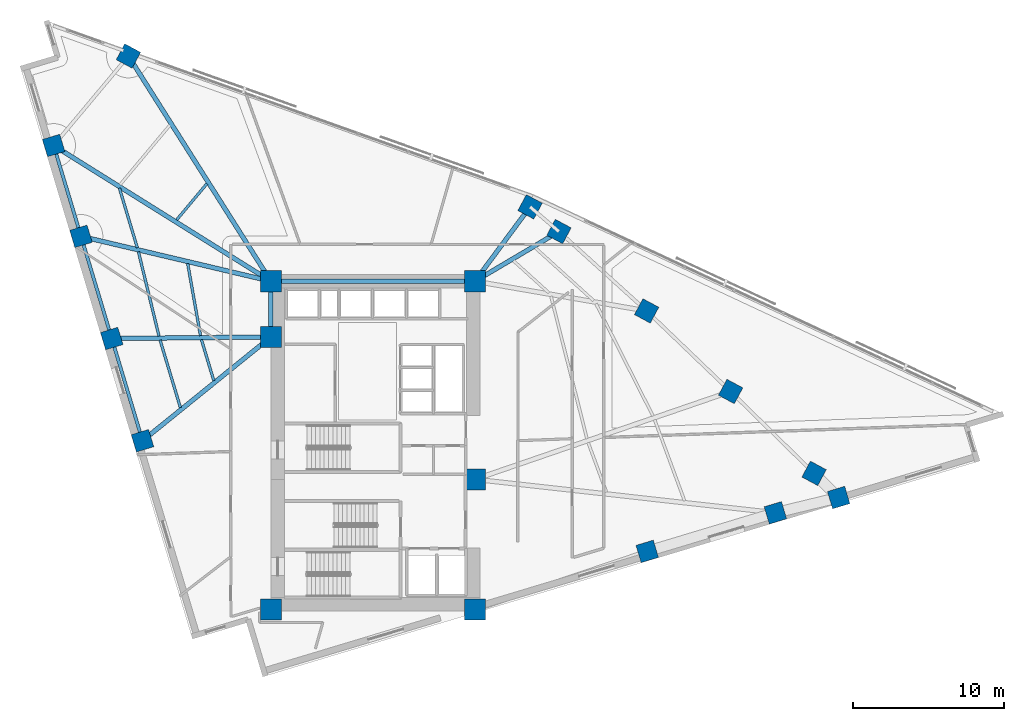
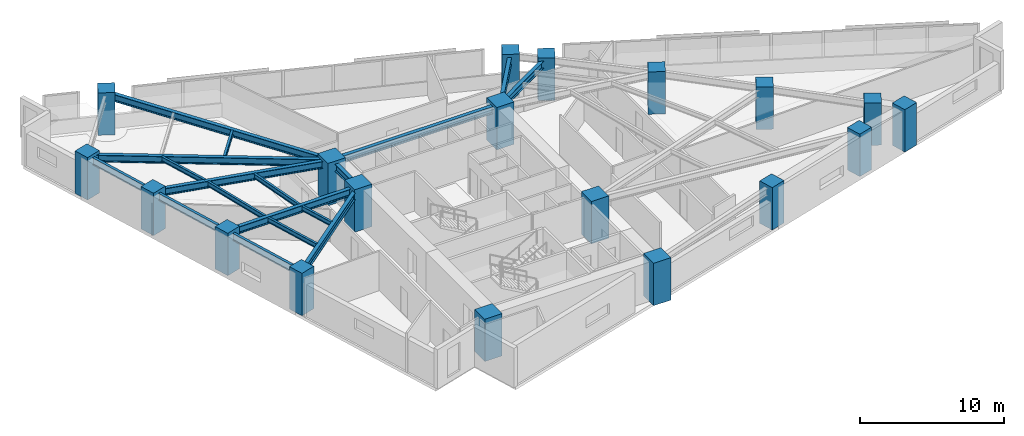
# One storey, part 1 of 15: 19 columns, 18 beams.
"""IFC4 building model written with IfcOpenShell, lengths in metres."""

from ifc_helpers import new_model, si_unit, direction, frame, origin, origin_2d, place, context, subcontext, project, spatial, rectangle, i_section, extrude, material, material_profile, profile_set, type_object, element, save


model = new_model("IFC4")

# Units and contexts
model_context = context("Model", 3, precision=1e-05, world=origin(), true_north=direction((0.0, 1.0)))
body_context = subcontext(model_context, "Body", "Model", "MODEL_VIEW")
ifc_project = project(units=[si_unit("LENGTHUNIT", "METRE"), si_unit("AREAUNIT", "SQUARE_METRE"), si_unit("VOLUMEUNIT", "CUBIC_METRE"), si_unit("PLANEANGLEUNIT", "RADIAN"), si_unit("MASSUNIT", "GRAM", prefix="KILO")], contexts=[model_context])

# Site, building, storey
site_placement = place(None, origin())
site = spatial("IfcSite", under=ifc_project, at=site_placement, CompositionType="ELEMENT")
building_placement = place(site_placement, origin())
building = spatial("IfcBuilding", under=site, at=building_placement, Name="Narakoshi Arena Tower", CompositionType="ELEMENT")
storey_placement = place(building_placement, frame((0.0, 0.0, 143.10009765625)))
storey = spatial("IfcBuildingStorey", under=building, at=storey_placement, Name="L38", CompositionType="ELEMENT", Elevation=143.10009765625)

# Columns
ifc_material_1 = material(Name="Concrete C60/75", Category="concrete")
ifc_material_profile_1 = material_profile(ifc_material_1, rectangle(XDim=1.199951171875, YDim=1.199951171875, at=origin_2d()), Name="RC1200x1200")
ifc_profile_set_1 = profile_set([ifc_material_profile_1], Name="Concrete C60/75")
column_type_1 = type_object("IfcColumnType", Name="COL-RC1200", PredefinedType="COLUMN", material=ifc_profile_set_1)
for number, where, z_axis, x_axis, name in (
    (1, (96.984619140625, 38.565185546875, 0.0), (0.0, 0.0, 1.0), (0.957571360805, 0.288196268134, 0.0), "L38 Tower Perimeter Column TC02"),
    (2, (105.49365234375, 41.126220703125, 0.0), (0.0, 0.0, 1.0), (0.957571360805, 0.288196268134, 0.0), "L38 Tower Perimeter Column TC03"),
    (3, (109.692626953125, 42.13916015625, 0.0), (0.0, 0.0, 1.0), (0.957571360805, 0.288196268134, 0.0), "L38 Tower Perimeter Column TC04"),
    (4, (108.061279296875, 43.74560546875, 0.0), (0.0, 0.0, 1.0), (0.473319667185, 0.880890738205, 0.0), "L38 Tower Perimeter Column TC05"),
    (5, (102.522216796875, 49.17919921875, 0.0), (0.0, 0.0, 1.0), (0.473319667185, 0.880890738205, 0.0), "L38 Tower Perimeter Column TC06"),
    (6, (96.9443359375, 54.528076171875, 0.0), (0.0, 0.0, 1.0), (0.473319667185, 0.880890738205, 0.0), "L38 Tower Perimeter Column TC07"),
    (7, (91.12646484375, 59.798095703125, 0.0), (0.0, 0.0, 1.0), (0.473319667185, 0.880890738205, 0.0), "L38 Tower Perimeter Column TC08"),
    (8, (89.206787109375, 61.437744140625, 0.0), (0.0, 0.0, 1.0), (0.473319667185, 0.880890738205, 0.0), "L38 Tower Perimeter Column TC09"),
    (9, (62.545166015625, 71.4501953125, 0.0), (0.0, 0.0, 1.0), (0.473319667185, 0.880890738205, 0.0), "L38 Tower Perimeter Column TC11"),
    (10, (57.580810546875, 65.51220703125, 0.0), (0.0, 0.0, 1.0), (-0.288196268134, 0.957571360805, 0.0), "L38 Tower Perimeter Column TC13"),
    (11, (59.39599609375, 59.481201171875, 0.0), (0.0, 0.0, 1.0), (-0.288196268134, 0.957571360805, 0.0), "L38 Tower Perimeter Column TC14"),
    (12, (61.43798828125, 52.6962890625, 0.0), (0.0, 0.0, 1.0), (-0.288196268134, 0.957571360805, 0.0), "L38 Tower Perimeter Column TC15"),
    (13, (63.47998046875, 45.91162109375, 0.0), (0.0, 0.0, 1.0), (-0.288196268134, 0.957571360805, 0.0), "L38 Tower Perimeter Column TC16"),
):
    element("IfcColumn", number, at=place(storey_placement, frame(where, z_axis=z_axis, x_axis=x_axis)), inside=storey, type_object=column_type_1, Name=name, PredefinedType="COLUMN", context=body_context, shape_type="SweptSolid", body=[
        extrude(rectangle(XDim=1.199951171875, YDim=1.199951171875, at=origin_2d()), origin(), (0.0, 0.0, 1.0), 3.599853515625),
    ])
ifc_material_profile_2 = material_profile(ifc_material_1, rectangle(XDim=1.39990234375, YDim=1.39990234375, at=origin_2d()), Name="RC1400x1400")
ifc_profile_set_2 = profile_set([ifc_material_profile_2], Name="Concrete C60/75")
column_type_2 = type_object("IfcColumnType", Name="COL-RC1400", PredefinedType="COLUMN", material=ifc_profile_set_2)
for number, where, z_axis, x_axis, name in (
    (14, (72.0, 34.699951171875, 0.0), (0.0, 0.0, 1.0), (1.0, 0.0, 0.0), "L38 Core Structural Column CC1"),
    (15, (85.550048828125, 34.699951171875, 0.0), (0.0, 0.0, 1.0), (1.0, 0.0, 0.0), "L38 Core Structural Column CC2"),
    (16, (85.550048828125, 43.35009765625, 0.0), (0.0, 0.0, 1.0), (1.0, 0.0, 0.0), "L38 Core Structural Column CC3"),
    (17, (72.0, 52.800048828125, 0.0), (0.0, 0.0, 1.0), (1.0, 0.0, 0.0), "L38 Core Structural Column CC4"),
    (18, (72.0, 56.5, 0.0), (0.0, 0.0, 1.0), (1.0, 0.0, 0.0), "L38 Core Structural Column CC5"),
    (19, (85.550048828125, 56.5, 0.0), (0.0, 0.0, 1.0), (1.0, 0.0, 0.0), "L38 Core Structural Column CC6"),
):
    element("IfcColumn", number, at=place(storey_placement, frame(where, z_axis=z_axis, x_axis=x_axis)), inside=storey, type_object=column_type_2, Name=name, PredefinedType="COLUMN", context=body_context, shape_type="SweptSolid", body=[
        extrude(rectangle(XDim=1.39990234375, YDim=1.39990234375, at=origin_2d()), origin(), (0.0, 0.0, 1.0), 3.599853515625),
    ])

# Beams
ifc_material_2 = material(Name="Structural steel S355J2", Category="steel")
ifc_material_profile_3 = material_profile(ifc_material_2, i_section(OverallWidth=0.219970703125, OverallDepth=0.60009765625, WebThickness=0.011962890625, FlangeThickness=0.01904296875, FilletRadius=0.02392578125, at=origin_2d()), Name="IPE600")
ifc_profile_set_3 = profile_set([ifc_material_profile_3], Name="Structural steel S355J2")
beam_type_1 = type_object("IfcBeamType", Name="BM-EDGE-600", PredefinedType="BEAM", material=ifc_profile_set_3)
beam_1_placement = place(storey_placement, frame((57.580810546875, 65.51220703125, 3.039794921875), z_axis=(0.288204829742, -0.957568784011, 0.0), x_axis=(0.957568784011, 0.288204829742, 0.0)))
element("IfcBeam", 20, at=beam_1_placement, inside=storey, type_object=beam_type_1, Name="L38 Perimeter Edge Girder 10", PredefinedType="BEAM", context=body_context, shape_type="SweptSolid", body=[
    extrude(i_section(OverallWidth=0.219970703125, OverallDepth=0.60009765625, WebThickness=0.011962890625, FlangeThickness=0.01904296875, FilletRadius=0.02392578125, at=origin_2d()), origin(), (0.0, 0.0, 1.0), 6.29833984375),
])
beam_2_placement = place(storey_placement, frame((59.39599609375, 59.481201171875, 3.039794921875), z_axis=(0.28819179325, -0.957572707581, 0.0), x_axis=(0.957572707581, 0.28819179325, 0.0)))
element("IfcBeam", 21, at=beam_2_placement, inside=storey, type_object=beam_type_1, Name="L38 Perimeter Edge Girder 11", PredefinedType="BEAM", context=body_context, shape_type="SweptSolid", body=[
    extrude(i_section(OverallWidth=0.219970703125, OverallDepth=0.60009765625, WebThickness=0.011962890625, FlangeThickness=0.01904296875, FilletRadius=0.02392578125, at=origin_2d()), origin(), (0.0, 0.0, 1.0), 7.08544921875),
])
beam_3_placement = place(storey_placement, frame((61.43798828125, 52.6962890625, 3.039794921875), z_axis=(0.288201302245, -0.957569845695, 0.0), x_axis=(0.957569845695, 0.288201302245, 0.0)))
element("IfcBeam", 22, at=beam_3_placement, inside=storey, type_object=beam_type_1, Name="L38 Perimeter Edge Girder 12", PredefinedType="BEAM", context=body_context, shape_type="SweptSolid", body=[
    extrude(i_section(OverallWidth=0.219970703125, OverallDepth=0.60009765625, WebThickness=0.011962890625, FlangeThickness=0.01904296875, FilletRadius=0.02392578125, at=origin_2d()), origin(), (0.0, 0.0, 1.0), 7.085205078125),
])
ifc_material_profile_4 = material_profile(ifc_material_2, i_section(OverallWidth=0.300048828125, OverallDepth=0.60009765625, WebThickness=0.015380859375, FlangeThickness=0.030029296875, FilletRadius=0.027099609375, at=origin_2d()), Name="HE600B")
ifc_profile_set_4 = profile_set([ifc_material_profile_4], Name="Structural steel S355J2")
beam_type_2 = type_object("IfcBeamType", Name="BM-PRI-600", PredefinedType="BEAM", material=ifc_profile_set_4)
beam_4_placement = place(storey_placement, frame((85.550048828125, 56.5, 3.039794921875), z_axis=(0.860727657757, 0.509065712037, 0.0), x_axis=(-0.509065712037, 0.860727657757, 0.0)))
element("IfcBeam", 23, at=beam_4_placement, inside=storey, type_object=beam_type_2, Name="L38 Radial Primary Floor Girder 07", PredefinedType="BEAM", context=body_context, shape_type="SweptSolid", body=[
    extrude(i_section(OverallWidth=0.300048828125, OverallDepth=0.60009765625, WebThickness=0.015380859375, FlangeThickness=0.030029296875, FilletRadius=0.027099609375, at=origin_2d()), origin(), (0.0, 0.0, 1.0), 6.478759765625),
])
beam_5_placement = place(storey_placement, frame((85.550048828125, 56.5, 3.039794921875), z_axis=(0.595138224279, 0.803623353321, 0.0), x_axis=(-0.803623353321, 0.595138224279, 0.0)))
element("IfcBeam", 24, at=beam_5_placement, inside=storey, type_object=beam_type_2, Name="L38 Radial Primary Floor Girder 08", PredefinedType="BEAM", context=body_context, shape_type="SweptSolid", body=[
    extrude(i_section(OverallWidth=0.300048828125, OverallDepth=0.60009765625, WebThickness=0.015380859375, FlangeThickness=0.030029296875, FilletRadius=0.027099609375, at=origin_2d()), origin(), (0.0, 0.0, 1.0), 6.144287109375),
])
beam_6_placement = place(storey_placement, frame((72.0, 56.5, 3.039794921875), z_axis=(-0.534502303868, 0.845167017317, 0.0), x_axis=(-0.845167017317, -0.534502303868, 0.0)))
element("IfcBeam", 25, at=beam_6_placement, inside=storey, type_object=beam_type_2, Name="L38 Radial Primary Floor Girder 09", PredefinedType="BEAM", context=body_context, shape_type="SweptSolid", body=[
    extrude(i_section(OverallWidth=0.300048828125, OverallDepth=0.60009765625, WebThickness=0.015380859375, FlangeThickness=0.030029296875, FilletRadius=0.027099609375, at=origin_2d()), origin(), (0.0, 0.0, 1.0), 17.68896484375),
])
beam_7_placement = place(storey_placement, frame((72.0, 56.5, 3.039794921875), z_axis=(-0.847992657587, 0.530007974165, 0.0), x_axis=(-0.530007974165, -0.847992657587, 0.0)))
element("IfcBeam", 26, at=beam_7_placement, inside=storey, type_object=beam_type_2, Name="L38 Radial Primary Floor Girder 10", PredefinedType="BEAM", context=body_context, shape_type="SweptSolid", body=[
    extrude(i_section(OverallWidth=0.300048828125, OverallDepth=0.60009765625, WebThickness=0.015380859375, FlangeThickness=0.030029296875, FilletRadius=0.027099609375, at=origin_2d()), origin(), (0.0, 0.0, 1.0), 17.00390625),
])
beam_8_placement = place(storey_placement, frame((72.0, 56.5, 3.039794921875), z_axis=(-0.973148771856, 0.230177035857, 0.0), x_axis=(-0.230177035857, -0.973148771856, 0.0)))
element("IfcBeam", 27, at=beam_8_placement, inside=storey, type_object=beam_type_2, Name="L38 Radial Primary Floor Girder 11", PredefinedType="BEAM", context=body_context, shape_type="SweptSolid", body=[
    extrude(i_section(OverallWidth=0.300048828125, OverallDepth=0.60009765625, WebThickness=0.015380859375, FlangeThickness=0.030029296875, FilletRadius=0.027099609375, at=origin_2d()), origin(), (0.0, 0.0, 1.0), 12.95166015625),
])
beam_9_placement = place(storey_placement, frame((72.0, 52.800048828125, 3.039794921875), z_axis=(-0.999951749341, -0.009823389891, 0.0), x_axis=(0.009823389891, -0.999951749341, 0.0)))
element("IfcBeam", 28, at=beam_9_placement, inside=storey, type_object=beam_type_2, Name="L38 Radial Primary Floor Girder 12", PredefinedType="BEAM", context=body_context, shape_type="SweptSolid", body=[
    extrude(i_section(OverallWidth=0.300048828125, OverallDepth=0.60009765625, WebThickness=0.015380859375, FlangeThickness=0.030029296875, FilletRadius=0.027099609375, at=origin_2d()), origin(), (0.0, 0.0, 1.0), 10.5625),
])
beam_10_placement = place(storey_placement, frame((72.0, 52.800048828125, 3.039794921875), z_axis=(-0.777634431076, -0.628716702184, 0.0), x_axis=(0.628716702184, -0.777634431076, 0.0)))
element("IfcBeam", 29, at=beam_10_placement, inside=storey, type_object=beam_type_2, Name="L38 Radial Primary Floor Girder 13", PredefinedType="BEAM", context=body_context, shape_type="SweptSolid", body=[
    extrude(i_section(OverallWidth=0.300048828125, OverallDepth=0.60009765625, WebThickness=0.015380859375, FlangeThickness=0.030029296875, FilletRadius=0.027099609375, at=origin_2d()), origin(), (0.0, 0.0, 1.0), 10.956298828125),
])
beam_11_placement = place(storey_placement, frame((72.0, 52.800048828125, 3.039794921875), z_axis=(0.0, 1.0, 0.0), x_axis=(-1.0, 0.0, 0.0)))
element("IfcBeam", 30, at=beam_11_placement, inside=storey, type_object=beam_type_2, Name="L38 Core Perimeter Frame Beam CC4-CC5", PredefinedType="BEAM", context=body_context, shape_type="SweptSolid", body=[
    extrude(i_section(OverallWidth=0.300048828125, OverallDepth=0.60009765625, WebThickness=0.015380859375, FlangeThickness=0.030029296875, FilletRadius=0.027099609375, at=origin_2d()), origin(), (0.0, 0.0, 1.0), 3.699951171875),
])
beam_12_placement = place(storey_placement, frame((72.0, 56.5, 3.039794921875), z_axis=(1.0, 0.0, 0.0), x_axis=(0.0, 1.0, 0.0)))
element("IfcBeam", 31, at=beam_12_placement, inside=storey, type_object=beam_type_2, Name="L38 Core Perimeter Frame Beam CC5-CC6", PredefinedType="BEAM", context=body_context, shape_type="SweptSolid", body=[
    extrude(i_section(OverallWidth=0.300048828125, OverallDepth=0.60009765625, WebThickness=0.015380859375, FlangeThickness=0.030029296875, FilletRadius=0.027099609375, at=origin_2d()), origin(), (0.0, 0.0, 1.0), 13.550048828125),
])
ifc_material_profile_5 = material_profile(ifc_material_2, i_section(OverallWidth=0.179931640625, OverallDepth=0.39990234375, WebThickness=0.008544921875, FlangeThickness=0.013427734375, FilletRadius=0.02099609375, at=origin_2d()), Name="IPE400")
ifc_profile_set_5 = profile_set([ifc_material_profile_5], Name="Structural steel S355J2")
beam_type_3 = type_object("IfcBeamType", Name="BM-SEC-400", PredefinedType="JOIST", material=ifc_profile_set_5)
beam_13_placement = place(storey_placement, frame((67.75341796875, 62.974609375, 3.139892578125), z_axis=(-0.641393594334, -0.767212002739, 0.0), x_axis=(0.767212002739, -0.641393594334, 0.0)))
element("IfcBeam", 32, at=beam_13_placement, inside=storey, type_object=beam_type_3, Name="L38 Composite Secondary Floor Joist 07", PredefinedType="JOIST", context=body_context, shape_type="SweptSolid", body=[
    extrude(i_section(OverallWidth=0.179931640625, OverallDepth=0.39990234375, WebThickness=0.008544921875, FlangeThickness=0.013427734375, FilletRadius=0.02099609375, at=origin_2d()), origin(), (0.0, 0.0, 1.0), 3.1357421875),
])
beam_14_placement = place(storey_placement, frame((61.945556640625, 62.67919921875, 3.139892578125), z_axis=(0.288164978579, -0.957580777334, 0.0), x_axis=(0.957580777334, 0.288164978579, 0.0)))
element("IfcBeam", 33, at=beam_14_placement, inside=storey, type_object=beam_type_3, Name="L38 Composite Secondary Floor Joist 09", PredefinedType="JOIST", context=body_context, shape_type="SweptSolid", body=[
    extrude(i_section(OverallWidth=0.179931640625, OverallDepth=0.39990234375, WebThickness=0.008544921875, FlangeThickness=0.013427734375, FilletRadius=0.02099609375, at=origin_2d()), origin(), (0.0, 0.0, 1.0), 4.138671875),
])
beam_15_placement = place(storey_placement, frame((66.477783203125, 57.6787109375, 3.139892578125), z_axis=(0.174932831413, -0.984580369748, 0.0), x_axis=(0.984580369748, 0.174932831413, 0.0)))
element("IfcBeam", 34, at=beam_15_placement, inside=storey, type_object=beam_type_3, Name="L38 Composite Secondary Floor Joist 10", PredefinedType="JOIST", context=body_context, shape_type="SweptSolid", body=[
    extrude(i_section(OverallWidth=0.179931640625, OverallDepth=0.39990234375, WebThickness=0.008544921875, FlangeThickness=0.013427734375, FilletRadius=0.02099609375, at=origin_2d()), origin(), (0.0, 0.0, 1.0), 4.866455078125),
])
beam_16_placement = place(storey_placement, frame((63.209228515625, 58.455810546875, 3.139892578125), z_axis=(0.237007882621, -0.971507726977, 0.0), x_axis=(0.971507726977, 0.237007882621, 0.0)))
element("IfcBeam", 35, at=beam_16_placement, inside=storey, type_object=beam_type_3, Name="L38 Composite Secondary Floor Joist 11", PredefinedType="JOIST", context=body_context, shape_type="SweptSolid", body=[
    extrude(i_section(OverallWidth=0.179931640625, OverallDepth=0.39990234375, WebThickness=0.008544921875, FlangeThickness=0.013427734375, FilletRadius=0.02099609375, at=origin_2d()), origin(), (0.0, 0.0, 1.0), 5.76123046875),
])
beam_17_placement = place(storey_placement, frame((67.3916015625, 52.625, 3.139892578125), z_axis=(0.288260224985, -0.957552109648, 0.0), x_axis=(0.957552109648, 0.288260224985, 0.0)))
element("IfcBeam", 36, at=beam_17_placement, inside=storey, type_object=beam_type_3, Name="L38 Composite Secondary Floor Joist 12", PredefinedType="JOIST", context=body_context, shape_type="SweptSolid", body=[
    extrude(i_section(OverallWidth=0.179931640625, OverallDepth=0.39990234375, WebThickness=0.008544921875, FlangeThickness=0.013427734375, FilletRadius=0.02099609375, at=origin_2d()), origin(), (0.0, 0.0, 1.0), 2.847412109375),
])
beam_18_placement = place(storey_placement, frame((64.6455078125, 52.59814453125, 3.139892578125), z_axis=(0.28819790807, -0.957570867239, 0.0), x_axis=(0.957570867239, 0.28819790807, 0.0)))
element("IfcBeam", 37, at=beam_18_placement, inside=storey, type_object=beam_type_3, Name="L38 Composite Secondary Floor Joist 13", PredefinedType="JOIST", context=body_context, shape_type="SweptSolid", body=[
    extrude(i_section(OverallWidth=0.179931640625, OverallDepth=0.39990234375, WebThickness=0.008544921875, FlangeThickness=0.013427734375, FilletRadius=0.02099609375, at=origin_2d()), origin(), (0.0, 0.0, 1.0), 4.689697265625),
])

save(model, "model.ifc")
